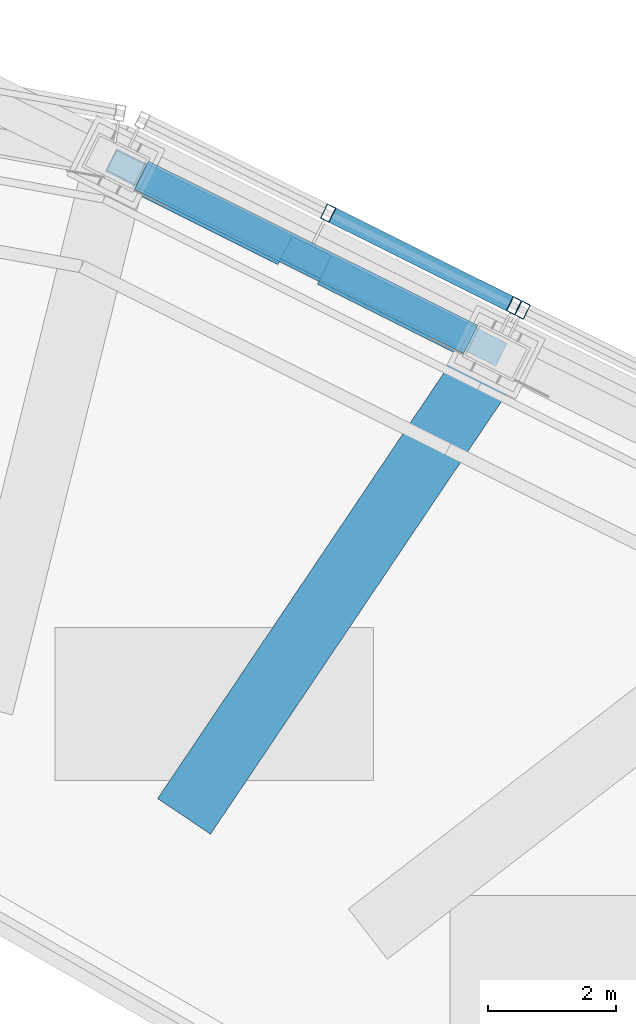
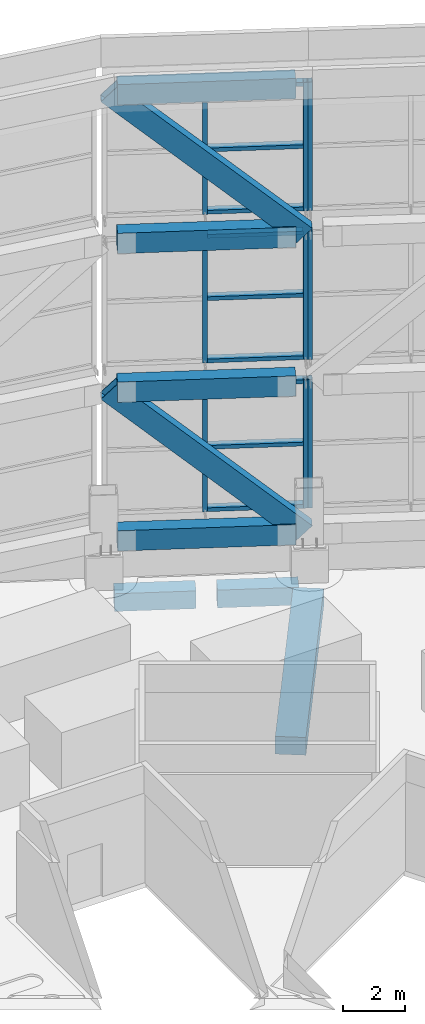
# One storey, part 14 of 46: 24 members, 3 beams, 6 elements without a shape of their own.
"""IFC4 building model written with IfcOpenShell, lengths in metres."""

import ifcopenshell
import ifcopenshell.guid

model = None  # the IFC model being written
_history = None  # IfcOwnerHistory: only IFC2X3 demands one
_inside = {}  # id of a spatial element -> (the spatial element, [elements in it])
_under = {}  # id of a project, library or spatial element -> (it, [spatial elements below it])
_declared = {}  # id of a project -> (the project, [libraries it declares])
_typed = {}  # id of a type object -> (the type object, [elements of that type])
_made_of = {}  # id of a material, layer set ... -> (it, [elements and type objects made of it])


def new_model(schema):
    """Start an empty IFC model of exactly this schema.

    Asked for "IFC4X3", IfcOpenShell would pick the latest addendum, in which some entities
    have other attributes; the version numbers below select the first issue.
    IFC2X3 requires an IfcOwnerHistory on every rooted entity: one is made here for all.
    """
    global model, _history
    if schema == "IFC4X3":
        model = ifcopenshell.file(schema_version=(4, 3, 0, 0))
    else:
        model = ifcopenshell.file(schema=schema)
    _inside.clear()
    _under.clear()
    _declared.clear()
    _typed.clear()
    _made_of.clear()
    _history = None
    if model.schema == "IFC2X3":
        org = make("IfcOrganization", Name="unknown")
        user = make(
            "IfcPersonAndOrganization",
            ThePerson=make("IfcPerson", FamilyName="unknown"),
            TheOrganization=org,
        )
        app = make(
            "IfcApplication",
            ApplicationDeveloper=org,
            Version="unknown",
            ApplicationFullName="unknown",
            ApplicationIdentifier="unknown",
        )
        _history = make(
            "IfcOwnerHistory",
            OwningUser=user,
            OwningApplication=app,
            ChangeAction="ADDED",
            CreationDate=0,
        )
    return model


def make(cls, **values):
    """One entity of the class cls with the attributes given. An attribute that is None is left unset."""
    return model.create_entity(
        cls, **{name: value for name, value in values.items() if value is not None}
    )


def rooted(cls, **values):
    """An entity with a GlobalId (a new one), such as an element, a storey or a relation."""
    return make(cls, GlobalId=ifcopenshell.guid.new(), OwnerHistory=_history, **values)


def si_unit(unit_type, name, prefix=None):
    """IfcSIUnit, for example si_unit("LENGTHUNIT", "METRE", prefix="MILLI")."""
    return make("IfcSIUnit", UnitType=unit_type, Prefix=prefix, Name=name)


def assignment(units):
    """IfcUnitAssignment: the units of a project."""
    return None if units is None else make("IfcUnitAssignment", Units=units)


def point(xyz):
    """IfcCartesianPoint."""
    return None if xyz is None else make("IfcCartesianPoint", Coordinates=xyz)


def direction(xyz):
    """IfcDirection."""
    return None if xyz is None else make("IfcDirection", DirectionRatios=xyz)


def frame(location, z_axis=None, x_axis=None):
    """IfcAxis2Placement3D, a coordinate frame: its origin and axes. An axis left out is left unset."""
    return make(
        "IfcAxis2Placement3D",
        Location=point(location),
        Axis=direction(z_axis),
        RefDirection=direction(x_axis),
    )


def frame_2d(location, x_axis=None):
    """IfcAxis2Placement2D, a coordinate frame in the plane: its origin and x axis."""
    return make(
        "IfcAxis2Placement2D", Location=point(location), RefDirection=direction(x_axis)
    )


def origin():
    """The frame at (0, 0, 0) with its axes left unset."""
    return frame((0.0, 0.0, 0.0))


def origin_2d():
    """The frame at (0, 0) in the plane with its x axis left unset."""
    return frame_2d((0.0, 0.0))


def place(relative_to, where):
    """IfcLocalPlacement: puts the frame where relative to a parent placement (None: the world)."""
    return make(
        "IfcLocalPlacement", PlacementRelTo=relative_to, RelativePlacement=where
    )


def context(
    kind, dimensions, precision=None, world=None, true_north=None, identifier=None
):
    """IfcGeometricRepresentationContext, for example the 3D "Model" context."""
    return make(
        "IfcGeometricRepresentationContext",
        ContextIdentifier=identifier,
        ContextType=kind,
        CoordinateSpaceDimension=dimensions,
        Precision=precision,
        WorldCoordinateSystem=world,
        TrueNorth=true_north,
    )


def subcontext(parent, identifier, kind, view, scale=None):
    """IfcGeometricRepresentationSubContext, for example "Body" below "Model"."""
    return make(
        "IfcGeometricRepresentationSubContext",
        ContextIdentifier=identifier,
        ContextType=kind,
        ParentContext=parent,
        TargetScale=scale,
        TargetView=view,
    )


def project(units=None, contexts=None):
    """IfcProject with its units and contexts."""
    return rooted(
        "IfcProject",
        Name="project",
        RepresentationContexts=contexts,
        UnitsInContext=assignment(units),
    )


def spatial(cls, under=None, at=None, **own):
    """A site, building, storey or space (cls), placed at a placement, below another one or the project."""
    s = rooted(cls, ObjectPlacement=at, **own)
    if under is not None:
        _under.setdefault(under.id(), (under, []))[1].append(s)
    return s


def profile(cls, at=None, kind="AREA", **sizes):
    """A parametric profile (cls). Its sizes go by their IFC names, for example OverallWidth=200.0."""
    return make(cls, ProfileType=kind, Position=at, **sizes)


def rectangle(**sizes):
    """IfcRectangleProfileDef."""
    return profile("IfcRectangleProfileDef", **sizes)


def hollow_rectangle(**sizes):
    """IfcRectangleHollowProfileDef."""
    return profile("IfcRectangleHollowProfileDef", **sizes)


def extrude(swept, where, along, depth):
    """IfcExtrudedAreaSolid: the profile swept, set in the frame where, extruded along a direction by depth."""
    return make(
        "IfcExtrudedAreaSolid",
        SweptArea=swept,
        Position=where,
        ExtrudedDirection=direction(along),
        Depth=depth,
    )


def shape(context_of_items, identifier, shape_type, items):
    """IfcShapeRepresentation: the items that make up one representation, for example the "Body"."""
    return make(
        "IfcShapeRepresentation",
        ContextOfItems=context_of_items,
        RepresentationIdentifier=identifier,
        RepresentationType=shape_type,
        Items=items,
    )


def material(Name=None, Category=None):
    """IfcMaterial."""
    return make("IfcMaterial", Name=Name, Category=Category)


def material_profile(
    of_material, cross_section, Name=None, Category=None, Priority=None
):
    """IfcMaterialProfile: a cross section and its material."""
    return make(
        "IfcMaterialProfile",
        Name=Name,
        Material=of_material,
        Profile=cross_section,
        Priority=Priority,
        Category=Category,
    )


def profile_set(profiles, Name=None, composite=None):
    """IfcMaterialProfileSet."""
    return make(
        "IfcMaterialProfileSet",
        Name=Name,
        MaterialProfiles=profiles,
        CompositeProfile=composite,
    )


def made_of(thing, what):
    """Note that an element or type object is made of a material, layer set ...; save() writes the relation."""
    if what is not None:
        _made_of.setdefault(what.id(), (what, []))[1].append(thing)
    return thing


def type_object(cls, material=None, **own):
    """A type object (cls), such as IfcWallType, which elements share."""
    return made_of(rooted(cls, **own), material)


def element(
    cls,
    number,
    at=None,
    inside=None,
    cuts=None,
    type_object=None,
    material=None,
    context=None,
    identifier="Body",
    shape_type=None,
    held_by="IfcProductDefinitionShape",
    body=None,
    shapes=None,
    **own,
):
    """One element of the class cls, such as IfcWall. Its Tag is "e" and its number.

    at: its placement. inside: the storey or other place that contains it. cuts: it is an
    opening in that element (IfcRelVoidsElement). A single representation is given by context,
    identifier, shape_type and body (its items); several are given by shapes. held_by: the class
    of the entity that holds the representations. save() writes the other relations.
    """
    e = rooted(cls, Tag="e%d" % number, ObjectPlacement=at, **own)
    if body is not None:
        shapes = [shape(context, identifier, shape_type, body)]
    if shapes is not None:
        e.Representation = make(held_by, Representations=shapes)
    if inside is not None:
        _inside.setdefault(inside.id(), (inside, []))[1].append(e)
    if cuts is not None:
        rooted(
            "IfcRelVoidsElement", RelatingBuildingElement=cuts, RelatedOpeningElement=e
        )
    if type_object is not None:
        _typed.setdefault(type_object.id(), (type_object, []))[1].append(e)
    return made_of(e, material)


def aggregate(whole, parts):
    """IfcRelAggregates: a whole, such as a stair, and the parts it consists of."""
    return rooted("IfcRelAggregates", RelatingObject=whole, RelatedObjects=parts)


def save(model, path):
    """Write the relations noted so far, then the file.

    IfcRelAggregates (storeys below a building ...), IfcRelContainedInSpatialStructure (elements
    in a storey), IfcRelDefinesByType, IfcRelAssociatesMaterial and IfcRelDeclares: one each for
    every whole, place, type object, material and project.
    """
    for whole, parts in _under.values():
        aggregate(whole, parts)
    for where, things in _inside.values():
        rooted(
            "IfcRelContainedInSpatialStructure",
            RelatedElements=things,
            RelatingStructure=where,
        )
    for kind, things in _typed.values():
        rooted("IfcRelDefinesByType", RelatedObjects=things, RelatingType=kind)
    for what, things in _made_of.values():
        rooted("IfcRelAssociatesMaterial", RelatedObjects=things, RelatingMaterial=what)
    for by, libraries in _declared.values():
        rooted("IfcRelDeclares", RelatingContext=by, RelatedDefinitions=libraries)
    model.write(path)


model = new_model("IFC4")

# Units and contexts
model_context = context("Model", 3, precision=1e-05, world=origin(), true_north=direction((0.0, 1.0)))
body_context = subcontext(model_context, "Body", "Model", "MODEL_VIEW")
ifc_project = project(units=[si_unit("LENGTHUNIT", "METRE"), si_unit("AREAUNIT", "SQUARE_METRE"), si_unit("VOLUMEUNIT", "CUBIC_METRE"), si_unit("PLANEANGLEUNIT", "RADIAN"), si_unit("MASSUNIT", "GRAM", prefix="KILO")], contexts=[model_context])

# Site, building, storey
site_placement = place(None, origin())
site = spatial("IfcSite", under=ifc_project, at=site_placement, CompositionType="ELEMENT")
building_placement = place(site_placement, origin())
building = spatial("IfcBuilding", under=site, at=building_placement, Name="Vanh Sen Convention Tower", CompositionType="ELEMENT")
storey_placement = place(building_placement, frame((0.0, 0.0, 305.0)))
storey = spatial("IfcBuildingStorey", under=building, at=storey_placement, Name="Roof level", CompositionType="ELEMENT", Elevation=305.0)

# Members
ifc_material_1 = material(Name="Steel S460", Category="steel")
ifc_material_profile_1 = material_profile(ifc_material_1, hollow_rectangle(XDim=0.39990234375, YDim=0.800048828125, WallThickness=0.02490234375, at=origin_2d()), Name="BOX 800X400X25")
ifc_profile_set_1 = profile_set([ifc_material_profile_1], Name="Steel S460")
member_type_1 = type_object("IfcMemberType", Name="Crown brace BOX 800X400X25", PredefinedType="BRACE", material=ifc_profile_set_1)
member_1_placement = place(storey_placement, frame((10.417724609375, 15.81298828125, 1.7451171875), z_axis=(-0.654939460652, 0.326562454883, 0.68147726737), x_axis=(-0.446221544954, -0.894922528948, 0.0)))
element("IfcMember", 1, at=member_1_placement, inside=storey, type_object=member_type_1, Name="CROWN FRAME brace tier 1 span 05", PredefinedType="BRACE", context=body_context, shape_type="SweptSolid", body=[
    extrude(hollow_rectangle(XDim=0.39990234375, YDim=0.800048828125, WallThickness=0.02490234375, at=origin_2d()), origin(), (0.0, 0.0, 1.0), 8.61083984375),
])
member_2_placement = place(storey_placement, frame((10.417724609375, 15.81298828125, 13.481689453125), z_axis=(-0.654926806351, 0.326556145262, 0.681492452133), x_axis=(-0.446221544954, -0.894922528948, 0.0)))
element("IfcMember", 2, at=member_2_placement, inside=storey, type_object=member_type_1, Name="CROWN FRAME brace tier 3 span 05", PredefinedType="BRACE", context=body_context, shape_type="SweptSolid", body=[
    extrude(hollow_rectangle(XDim=0.39990234375, YDim=0.800048828125, WallThickness=0.02490234375, at=origin_2d()), origin(), (0.0, 0.0, 1.0), 8.611083984375),
])
ifc_material_profile_2 = material_profile(ifc_material_1, hollow_rectangle(XDim=0.5, YDim=0.800048828125, WallThickness=0.030029296875, at=origin_2d()), Name="BOX 800X500X30")
ifc_profile_set_2 = profile_set([ifc_material_profile_2], Name="Steel S460")
member_type_2 = type_object("IfcMemberType", Name="Crown ring beam BOX 800X500X30", PredefinedType="CHORD", material=ifc_profile_set_2)
for number, where, z_axis, x_axis, name in (
    (3, (10.18115234375, 15.930908203125, 1.7451171875), (-0.894934091234, 0.446198355383, 0.0), (-0.446198355383, -0.894934091234, 0.0), "CROWN FRAME ring beam 1 span 05"),
    (4, (10.18115234375, 15.930908203125, 7.61328125), (-0.894934091234, 0.446198355383, 0.0), (-0.446198355383, -0.894934091234, 0.0), "CROWN FRAME ring beam 2 span 05"),
    (5, (10.18115234375, 15.930908203125, 13.481689453125), (-0.894934091234, 0.446198355383, 0.0), (-0.446198355383, -0.894934091234, 0.0), "CROWN FRAME ring beam 3 span 05"),
    (6, (10.18115234375, 15.930908203125, 19.35009765625), (-0.894934091234, 0.446198355383, 0.0), (-0.446198355383, -0.894934091234, 0.0), "CROWN FRAME ring beam 4 span 05"),
):
    element("IfcMember", number, at=place(storey_placement, frame(where, z_axis=z_axis, x_axis=x_axis)), inside=storey, type_object=member_type_2, Name=name, PredefinedType="CHORD", context=body_context, shape_type="SweptSolid", body=[
        extrude(hollow_rectangle(XDim=0.5, YDim=0.800048828125, WallThickness=0.030029296875, at=origin_2d()), origin(), (0.0, 0.0, 1.0), 5.77294921875),
    ])

# Curtain wall, member
ifc_material_2 = material(Name="Concrete C60/75", Category="concrete")
curtain_wall_type = type_object("IfcCurtainWallType", Name="Crown screen", PredefinedType="NOTDEFINED", material=ifc_material_2)
curtain_wall_1_placement = place(storey_placement, origin())
curtain_wall_1 = element("IfcCurtainWall", 7, at=curtain_wall_1_placement, inside=storey, type_object=curtain_wall_type, Name="CROWN SCREEN 04 tier 1", PredefinedType="NOTDEFINED")
ifc_material_3 = material(Name="Steel S355", Category="steel")
ifc_material_profile_3 = material_profile(ifc_material_3, hollow_rectangle(XDim=0.25, YDim=0.14990234375, WallThickness=0.008056640625, at=origin_2d()), Name="RHS 250X150X8")
ifc_profile_set_3 = profile_set([ifc_material_profile_3], Name="Steel S355")
member_type_3 = type_object("IfcMemberType", Name="Crown screen mullion RHS 250X150X8", PredefinedType="MULLION", material=ifc_profile_set_3)
member_3_placement = place(storey_placement, frame((10.992431640625, 16.392578125, 2.14501953125), z_axis=(0.0, 0.0, 1.0), x_axis=(-0.446204803111, -0.894930876482, 0.0)))
member_3 = element("IfcMember", 8, at=member_3_placement, type_object=member_type_3, Name="CROWN SCREEN6 mullion 3", PredefinedType="MULLION", context=body_context, shape_type="SweptSolid", body=[
    extrude(hollow_rectangle(XDim=0.25, YDim=0.14990234375, WallThickness=0.008056640625, at=origin_2d()), origin(), (0.0, 0.0, 1.0), 5.068359375),
])
aggregate(curtain_wall_1, [member_3])

curtain_wall_2_placement = place(storey_placement, origin())
curtain_wall_2 = element("IfcCurtainWall", 9, at=curtain_wall_2_placement, inside=storey, type_object=curtain_wall_type, Name="CROWN SCREEN 04 tier 2", PredefinedType="NOTDEFINED")
member_4_placement = place(storey_placement, frame((10.992431640625, 16.392578125, 8.01318359375), z_axis=(0.0, 0.0, 1.0), x_axis=(-0.446204803111, -0.894930876482, 0.0)))
member_4 = element("IfcMember", 10, at=member_4_placement, type_object=member_type_3, Name="CROWN SCREEN6 mullion 3", PredefinedType="MULLION", context=body_context, shape_type="SweptSolid", body=[
    extrude(hollow_rectangle(XDim=0.25, YDim=0.14990234375, WallThickness=0.008056640625, at=origin_2d()), origin(), (0.0, 0.0, 1.0), 5.068603515625),
])
aggregate(curtain_wall_2, [member_4])

curtain_wall_3_placement = place(storey_placement, origin())
curtain_wall_3 = element("IfcCurtainWall", 11, at=curtain_wall_3_placement, inside=storey, type_object=curtain_wall_type, Name="CROWN SCREEN 04 tier 3", PredefinedType="NOTDEFINED")
member_5_placement = place(storey_placement, frame((10.992431640625, 16.392578125, 13.881591796875), z_axis=(0.0, 0.0, 1.0), x_axis=(-0.446204803111, -0.894930876482, 0.0)))
member_5 = element("IfcMember", 12, at=member_5_placement, type_object=member_type_3, Name="CROWN SCREEN6 mullion 3", PredefinedType="MULLION", context=body_context, shape_type="SweptSolid", body=[
    extrude(hollow_rectangle(XDim=0.25, YDim=0.14990234375, WallThickness=0.008056640625, at=origin_2d()), origin(), (0.0, 0.0, 1.0), 5.068359375),
])
aggregate(curtain_wall_3, [member_5])

# Curtain wall, members
curtain_wall_4_placement = place(storey_placement, origin())
curtain_wall_4 = element("IfcCurtainWall", 13, at=curtain_wall_4_placement, inside=storey, type_object=curtain_wall_type, Name="CROWN SCREEN 05 tier 1", PredefinedType="NOTDEFINED")
member_6_placement = place(storey_placement, frame((10.858154296875, 16.45947265625, 2.14501953125), z_axis=(0.0, 0.0, 1.0), x_axis=(-0.44619278342, -0.894936869295, 0.0)))
member_6 = element("IfcMember", 14, at=member_6_placement, type_object=member_type_3, Name="CROWN SCREEN6 mullion 1", PredefinedType="MULLION", context=body_context, shape_type="SweptSolid", body=[
    extrude(hollow_rectangle(XDim=0.25, YDim=0.14990234375, WallThickness=0.008056640625, at=origin_2d()), origin(), (0.0, 0.0, 1.0), 5.068359375),
])
member_7_placement = place(storey_placement, frame((7.943603515625, 17.91259765625, 2.14501953125), z_axis=(0.0, 0.0, 1.0), x_axis=(-0.44619278342, -0.894936869295, 0.0)))
member_7 = element("IfcMember", 15, at=member_7_placement, type_object=member_type_3, Name="CROWN SCREEN6 mullion 2", PredefinedType="MULLION", context=body_context, shape_type="SweptSolid", body=[
    extrude(hollow_rectangle(XDim=0.25, YDim=0.14990234375, WallThickness=0.008056640625, at=origin_2d()), origin(), (0.0, 0.0, 1.0), 5.068359375),
])

curtain_wall_5_placement = place(storey_placement, origin())
curtain_wall_5 = element("IfcCurtainWall", 16, at=curtain_wall_5_placement, inside=storey, type_object=curtain_wall_type, Name="CROWN SCREEN 05 tier 2", PredefinedType="NOTDEFINED")
member_8_placement = place(storey_placement, frame((10.858154296875, 16.45947265625, 8.01318359375), z_axis=(0.0, 0.0, 1.0), x_axis=(-0.44619278342, -0.894936869295, 0.0)))
member_8 = element("IfcMember", 17, at=member_8_placement, type_object=member_type_3, Name="CROWN SCREEN6 mullion 1", PredefinedType="MULLION", context=body_context, shape_type="SweptSolid", body=[
    extrude(hollow_rectangle(XDim=0.25, YDim=0.14990234375, WallThickness=0.008056640625, at=origin_2d()), origin(), (0.0, 0.0, 1.0), 5.068603515625),
])
member_9_placement = place(storey_placement, frame((7.943603515625, 17.91259765625, 8.01318359375), z_axis=(0.0, 0.0, 1.0), x_axis=(-0.44619278342, -0.894936869295, 0.0)))
member_9 = element("IfcMember", 18, at=member_9_placement, type_object=member_type_3, Name="CROWN SCREEN6 mullion 2", PredefinedType="MULLION", context=body_context, shape_type="SweptSolid", body=[
    extrude(hollow_rectangle(XDim=0.25, YDim=0.14990234375, WallThickness=0.008056640625, at=origin_2d()), origin(), (0.0, 0.0, 1.0), 5.068603515625),
])

curtain_wall_6_placement = place(storey_placement, origin())
curtain_wall_6 = element("IfcCurtainWall", 19, at=curtain_wall_6_placement, inside=storey, type_object=curtain_wall_type, Name="CROWN SCREEN 05 tier 3", PredefinedType="NOTDEFINED")
member_10_placement = place(storey_placement, frame((10.858154296875, 16.45947265625, 13.881591796875), z_axis=(0.0, 0.0, 1.0), x_axis=(-0.44619278342, -0.894936869295, 0.0)))
member_10 = element("IfcMember", 20, at=member_10_placement, type_object=member_type_3, Name="CROWN SCREEN6 mullion 1", PredefinedType="MULLION", context=body_context, shape_type="SweptSolid", body=[
    extrude(hollow_rectangle(XDim=0.25, YDim=0.14990234375, WallThickness=0.008056640625, at=origin_2d()), origin(), (0.0, 0.0, 1.0), 5.068359375),
])
member_11_placement = place(storey_placement, frame((7.943603515625, 17.91259765625, 13.881591796875), z_axis=(0.0, 0.0, 1.0), x_axis=(-0.44619278342, -0.894936869295, 0.0)))
member_11 = element("IfcMember", 21, at=member_11_placement, type_object=member_type_3, Name="CROWN SCREEN6 mullion 2", PredefinedType="MULLION", context=body_context, shape_type="SweptSolid", body=[
    extrude(hollow_rectangle(XDim=0.25, YDim=0.14990234375, WallThickness=0.008056640625, at=origin_2d()), origin(), (0.0, 0.0, 1.0), 5.068359375),
])

# Member
ifc_material_profile_4 = material_profile(ifc_material_3, hollow_rectangle(XDim=0.25, YDim=0.14990234375, WallThickness=0.008056640625, at=origin_2d()), Name="RHS 250X150X8")
ifc_profile_set_4 = profile_set([ifc_material_profile_4], Name="Steel S355")
member_type_4 = type_object("IfcMemberType", Name="Crown screen transom RHS 250X150X8", PredefinedType="USERDEFINED", material=ifc_profile_set_4)
member_12_placement = place(storey_placement, frame((10.791015625, 16.492919921875, 2.219970703125), z_axis=(-0.894929571394, 0.446207420651, 0.0), x_axis=(-0.446207420651, -0.894929571394, 0.0)))
member_12 = element("IfcMember", 22, at=member_12_placement, type_object=member_type_4, Name="CROWN SCREEN6 transom 1.1", ObjectType="TRANSOM", PredefinedType="USERDEFINED", context=body_context, shape_type="SweptSolid", body=[
    extrude(hollow_rectangle(XDim=0.25, YDim=0.14990234375, WallThickness=0.008056640625, at=origin_2d()), origin(), (0.0, 0.0, 1.0), 3.106689453125),
])

member_13_placement = place(storey_placement, frame((10.791015625, 16.492919921875, 4.67919921875), z_axis=(-0.894929571394, 0.446207420651, 0.0), x_axis=(-0.446207420651, -0.894929571394, 0.0)))
member_13 = element("IfcMember", 23, at=member_13_placement, type_object=member_type_4, Name="CROWN SCREEN6 transom 1.2", ObjectType="TRANSOM", PredefinedType="USERDEFINED", context=body_context, shape_type="SweptSolid", body=[
    extrude(hollow_rectangle(XDim=0.25, YDim=0.14990234375, WallThickness=0.008056640625, at=origin_2d()), origin(), (0.0, 0.0, 1.0), 3.106689453125),
])

member_14_placement = place(storey_placement, frame((10.791015625, 16.492919921875, 7.13818359375), z_axis=(-0.894929571394, 0.446207420651, 0.0), x_axis=(-0.446207420651, -0.894929571394, 0.0)))
member_14 = element("IfcMember", 24, at=member_14_placement, type_object=member_type_4, Name="CROWN SCREEN6 transom 1.3", ObjectType="TRANSOM", PredefinedType="USERDEFINED", context=body_context, shape_type="SweptSolid", body=[
    extrude(hollow_rectangle(XDim=0.25, YDim=0.14990234375, WallThickness=0.008056640625, at=origin_2d()), origin(), (0.0, 0.0, 1.0), 3.106689453125),
])

aggregate(curtain_wall_4, [member_6, member_7, member_12, member_13, member_14])

member_15_placement = place(storey_placement, frame((10.791015625, 16.492919921875, 8.08837890625), z_axis=(-0.894929571394, 0.446207420651, 0.0), x_axis=(-0.446207420651, -0.894929571394, 0.0)))
member_15 = element("IfcMember", 25, at=member_15_placement, type_object=member_type_4, Name="CROWN SCREEN6 transom 1.1", ObjectType="TRANSOM", PredefinedType="USERDEFINED", context=body_context, shape_type="SweptSolid", body=[
    extrude(hollow_rectangle(XDim=0.25, YDim=0.14990234375, WallThickness=0.008056640625, at=origin_2d()), origin(), (0.0, 0.0, 1.0), 3.106689453125),
])

member_16_placement = place(storey_placement, frame((10.791015625, 16.492919921875, 10.547607421875), z_axis=(-0.894929571394, 0.446207420651, 0.0), x_axis=(-0.446207420651, -0.894929571394, 0.0)))
member_16 = element("IfcMember", 26, at=member_16_placement, type_object=member_type_4, Name="CROWN SCREEN6 transom 1.2", ObjectType="TRANSOM", PredefinedType="USERDEFINED", context=body_context, shape_type="SweptSolid", body=[
    extrude(hollow_rectangle(XDim=0.25, YDim=0.14990234375, WallThickness=0.008056640625, at=origin_2d()), origin(), (0.0, 0.0, 1.0), 3.106689453125),
])

member_17_placement = place(storey_placement, frame((10.791015625, 16.492919921875, 13.006591796875), z_axis=(-0.894929571394, 0.446207420651, 0.0), x_axis=(-0.446207420651, -0.894929571394, 0.0)))
member_17 = element("IfcMember", 27, at=member_17_placement, type_object=member_type_4, Name="CROWN SCREEN6 transom 1.3", ObjectType="TRANSOM", PredefinedType="USERDEFINED", context=body_context, shape_type="SweptSolid", body=[
    extrude(hollow_rectangle(XDim=0.25, YDim=0.14990234375, WallThickness=0.008056640625, at=origin_2d()), origin(), (0.0, 0.0, 1.0), 3.106689453125),
])

aggregate(curtain_wall_5, [member_8, member_9, member_15, member_16, member_17])

member_18_placement = place(storey_placement, frame((10.791015625, 16.492919921875, 13.956787109375), z_axis=(-0.894929571394, 0.446207420651, 0.0), x_axis=(-0.446207420651, -0.894929571394, 0.0)))
member_18 = element("IfcMember", 28, at=member_18_placement, type_object=member_type_4, Name="CROWN SCREEN6 transom 1.1", ObjectType="TRANSOM", PredefinedType="USERDEFINED", context=body_context, shape_type="SweptSolid", body=[
    extrude(hollow_rectangle(XDim=0.25, YDim=0.14990234375, WallThickness=0.008056640625, at=origin_2d()), origin(), (0.0, 0.0, 1.0), 3.106689453125),
])

member_19_placement = place(storey_placement, frame((10.791015625, 16.492919921875, 16.415771484375), z_axis=(-0.894929571394, 0.446207420651, 0.0), x_axis=(-0.446207420651, -0.894929571394, 0.0)))
member_19 = element("IfcMember", 29, at=member_19_placement, type_object=member_type_4, Name="CROWN SCREEN6 transom 1.2", ObjectType="TRANSOM", PredefinedType="USERDEFINED", context=body_context, shape_type="SweptSolid", body=[
    extrude(hollow_rectangle(XDim=0.25, YDim=0.14990234375, WallThickness=0.008056640625, at=origin_2d()), origin(), (0.0, 0.0, 1.0), 3.106689453125),
])

member_20_placement = place(storey_placement, frame((10.791015625, 16.492919921875, 18.875), z_axis=(-0.894929571394, 0.446207420651, 0.0), x_axis=(-0.446207420651, -0.894929571394, 0.0)))
member_20 = element("IfcMember", 30, at=member_20_placement, type_object=member_type_4, Name="CROWN SCREEN6 transom 1.3", ObjectType="TRANSOM", PredefinedType="USERDEFINED", context=body_context, shape_type="SweptSolid", body=[
    extrude(hollow_rectangle(XDim=0.25, YDim=0.14990234375, WallThickness=0.008056640625, at=origin_2d()), origin(), (0.0, 0.0, 1.0), 3.106689453125),
])

aggregate(curtain_wall_6, [member_10, member_11, member_18, member_19, member_20])

# Beams
ifc_material_4 = material(Name="Concrete C50/60", Category="concrete")
ifc_material_profile_5 = material_profile(ifc_material_4, rectangle(XDim=1.0, YDim=0.699951171875, at=origin_2d()), Name="RC 1000X700")
ifc_profile_set_5 = profile_set([ifc_material_profile_5], Name="Concrete C50/60")
beam_type_1 = type_object("IfcBeamType", Name="Radial floor beam 1000 x 700", PredefinedType="BEAM", material=ifc_profile_set_5)
beam_1_placement = place(storey_placement, frame((10.38525390625, 15.443603515625, -0.64990234375), z_axis=(-0.558018918526, -0.829828227145, 0.0), x_axis=(0.829828227145, -0.558018918526, 0.0)))
element("IfcBeam", 31, at=beam_1_placement, inside=storey, type_object=beam_type_1, Name="Radial beam 05 Roof level", PredefinedType="BEAM", context=body_context, shape_type="SweptSolid", body=[
    extrude(rectangle(XDim=1.0, YDim=0.699951171875, at=origin_2d()), origin(), (0.0, 0.0, 1.0), 8.426025390625),
])
ifc_material_profile_6 = material_profile(ifc_material_4, rectangle(XDim=0.60009765625, YDim=0.699951171875, at=origin_2d()), Name="RC 600X700")
ifc_profile_set_6 = profile_set([ifc_material_profile_6], Name="Concrete C50/60")
beam_type_2 = type_object("IfcBeamType", Name="Spandrel beam 600 x 700", PredefinedType="SPANDREL", material=ifc_profile_set_6)
beam_2_placement = place(storey_placement, frame((10.270751953125, 15.88623046875, -0.64990234375), z_axis=(-0.894907211367, 0.446252263909, 0.0), x_axis=(-0.446252263909, -0.894907211367, 0.0)))
element("IfcBeam", 32, at=beam_2_placement, inside=storey, type_object=beam_type_2, Name="Spandrel beam 09 Roof level", PredefinedType="SPANDREL", context=body_context, shape_type="SweptSolid", body=[
    extrude(rectangle(XDim=0.60009765625, YDim=0.699951171875, at=origin_2d()), origin(), (0.0, 0.0, 1.0), 2.641845703125),
])
beam_3_placement = place(storey_placement, frame((7.2890625, 17.372802734375, -0.64990234375), z_axis=(-0.894925714782, 0.446215155527, 0.0), x_axis=(-0.446215155527, -0.894925714782, 0.0)))
element("IfcBeam", 33, at=beam_3_placement, inside=storey, type_object=beam_type_2, Name="Spandrel beam 10 Roof level", PredefinedType="SPANDREL", context=body_context, shape_type="SweptSolid", body=[
    extrude(rectangle(XDim=0.60009765625, YDim=0.699951171875, at=origin_2d()), origin(), (0.0, 0.0, 1.0), 2.6416015625),
])

save(model, "model.ifc")
